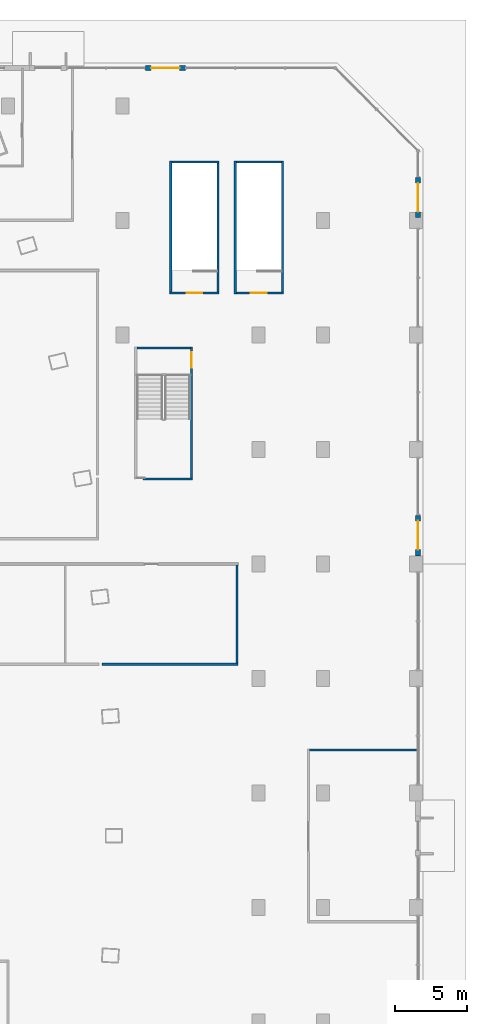
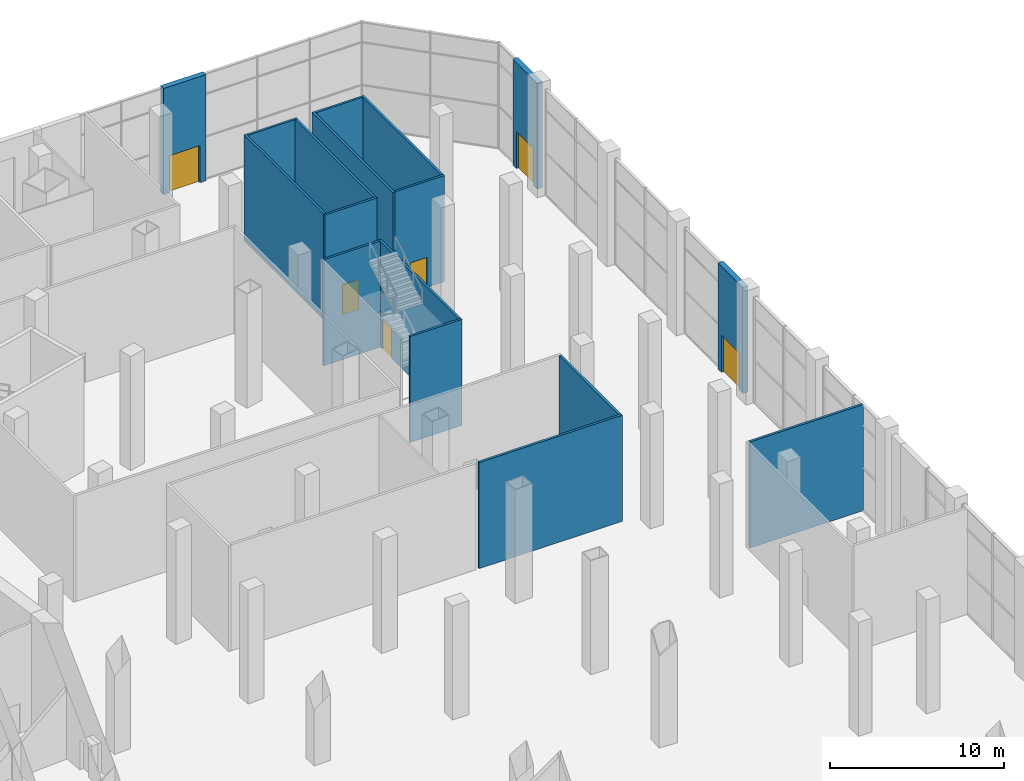
# One storey, part 20 of 33: 17 walls, 6 doors, 6 openings.
"""IFC4 building model written with IfcOpenShell, lengths in metres."""

from ifc_helpers import new_model, si_unit, direction, frame, frame_2d, origin, place, context, subcontext, project, spatial, rectangle, extrude, material, layer, layer_set, type_object, element, fill, save


model = new_model("IFC4")

# Units and contexts
model_context = context("Model", 3, precision=1e-05, world=origin(), true_north=direction((0.0, 1.0)))
body_context = subcontext(model_context, "Body", "Model", "MODEL_VIEW")
ifc_project = project(units=[si_unit("LENGTHUNIT", "METRE"), si_unit("AREAUNIT", "SQUARE_METRE"), si_unit("VOLUMEUNIT", "CUBIC_METRE"), si_unit("PLANEANGLEUNIT", "RADIAN"), si_unit("MASSUNIT", "GRAM", prefix="KILO")], contexts=[model_context])

# Site, building, storey
site_placement = place(None, origin())
site = spatial("IfcSite", under=ifc_project, at=site_placement, CompositionType="ELEMENT")
building_placement = place(site_placement, origin())
building = spatial("IfcBuilding", under=site, at=building_placement, Name="Alderwake Tower", CompositionType="ELEMENT")
storey_placement = place(building_placement, origin())
storey = spatial("IfcBuildingStorey", under=building, at=storey_placement, Name="L00", CompositionType="ELEMENT", Elevation=0.0)

# Walls
ifc_material_1 = material(Name="Gypsum board on metal studs, rated")
ifc_layer_1 = layer(ifc_material_1, 0.159912109375)
ifc_layer_set_1 = layer_set([ifc_layer_1], Name="Corridor wall 160")
wall_type_1 = type_object("IfcWallType", Name="Corridor wall 160", PredefinedType="PARTITIONING", material=ifc_layer_set_1)
wall_1_placement = place(storey_placement, frame((72.080078125, 72.9990234375, 0.0), z_axis=(0.0, 0.0, 1.0), x_axis=(-1.0, 0.0, 0.0)))
element("IfcWall", 1, at=wall_1_placement, inside=storey, type_object=wall_type_1, Name="WL/L00/W97", PredefinedType="PARTITIONING", context=body_context, shape_type="SweptSolid", body=[
    extrude(rectangle(XDim=9.512451171875, YDim=0.159912109375, at=frame_2d((4.75634765625, 0.0))), origin(), (0.0, 0.0, 1.0), 7.449951171875),
])
wall_2_placement = place(storey_placement, frame((72.0, 79.9208984375, 0.0), z_axis=(0.0, 0.0, 1.0), x_axis=(0.0, -1.0, 0.0)))
element("IfcWall", 2, at=wall_2_placement, inside=storey, type_object=wall_type_1, Name="WL/L00/W98", PredefinedType="PARTITIONING", context=body_context, shape_type="SweptSolid", body=[
    extrude(rectangle(XDim=6.841796875, YDim=0.159912109375, at=frame_2d((3.4208984375, 0.0))), origin(), (0.0, 0.0, 1.0), 7.449951171875),
])
wall_3_placement = place(storey_placement, frame((77.0810546875, 66.9990234375, 0.0), z_axis=(0.0, 0.0, 1.0), x_axis=(1.0, 0.0, 0.0)))
element("IfcWall", 3, at=wall_3_placement, inside=storey, type_object=wall_type_1, Name="WL/L00/W100", PredefinedType="PARTITIONING", context=body_context, shape_type="SweptSolid", body=[
    extrude(rectangle(XDim=7.5390625, YDim=0.159912109375, at=frame_2d((3.76953125, 0.0))), origin(), (0.0, 0.0, 1.0), 7.449951171875),
])

# Wall, opening, door
ifc_material_2 = material(Name="Precast concrete C50/60 spandrel panel", Category="concrete")
ifc_layer_2 = layer(ifc_material_2, 0.35009765625)
ifc_layer_set_2 = layer_set([ifc_layer_2], Name="External wall EW4 Precast concrete C50/60 podium")
wall_type_2 = type_object("IfcWallType", Name="External wall EW4 Precast concrete C50/60 podium", PredefinedType="SOLIDWALL", material=ifc_layer_set_2)
wall_4_placement = place(storey_placement, frame((84.64990234375, 80.550048828125, 0.0), z_axis=(0.0, 0.0, 1.0), x_axis=(0.0, 1.0, 0.0)))
wall_4 = element("IfcWall", 4, at=wall_4_placement, inside=storey, type_object=wall_type_2, Name="External wall 10", PredefinedType="SOLIDWALL", context=body_context, shape_type="SweptSolid", body=[
    extrude(rectangle(XDim=2.849853515625, YDim=0.35009765625, at=frame_2d((1.4248046875, 0.0))), origin(), (0.0, 0.0, 1.0), 7.449951171875),
])
opening_1_placement = place(wall_4_placement, frame((0.449951171875, 0.0, 0.0)))
opening_1 = element("IfcOpeningElement", 5, at=opening_1_placement, cuts=wall_4, Name="Opening D07", PredefinedType="OPENING", context=body_context, shape_type="SweptSolid", body=[
    extrude(rectangle(XDim=2.0, YDim=2.60009765625, at=frame_2d((1.0, 1.300048828125))), frame((0.0, 0.18505859375, 0.0), z_axis=(0.0, -1.0, 0.0), x_axis=(1.0, 0.0, 0.0)), (0.0, 0.0, 1.0), 0.3701171875),
])
ifc_material_3 = material(Name="Bronze tinted glass in aluminium frame", Category="aluminium")
door_type_1 = type_object("IfcDoorType", Name="Entrance door ED double 2000", OperationType="DOUBLE_DOOR_DOUBLE_SWING", PredefinedType="DOOR", material=ifc_material_3)
door_1_placement = place(opening_1_placement, origin())
door_1 = element("IfcDoor", 6, at=door_1_placement, inside=storey, type_object=door_type_1, Name="Door D07", OperationType="DOUBLE_DOOR_DOUBLE_SWING", OverallHeight=2.60009765625, OverallWidth=2.0, PredefinedType="DOOR", context=body_context, shape_type="SweptSolid", body=[
    extrude(rectangle(XDim=2.0, YDim=2.60009765625, at=frame_2d((1.0, 1.300048828125))), frame((0.0, 0.02490234375, 0.0), z_axis=(0.0, -1.0, 0.0), x_axis=(1.0, 0.0, 0.0)), (0.0, 0.0, 1.0), 0.050048828125),
])
fill(opening_1, door_1)

wall_5_placement = place(storey_placement, frame((84.64990234375, 104.199951171875, 0.0), z_axis=(0.0, 0.0, 1.0), x_axis=(0.0, 1.0, 0.0)))
wall_5 = element("IfcWall", 7, at=wall_5_placement, inside=storey, type_object=wall_type_2, Name="External wall 11", PredefinedType="SOLIDWALL", context=body_context, shape_type="SweptSolid", body=[
    extrude(rectangle(XDim=2.800048828125, YDim=0.35009765625, at=frame_2d((1.39990234375, 0.0))), origin(), (0.0, 0.0, 1.0), 7.449951171875),
])
opening_2_placement = place(wall_5_placement, frame((0.39990234375, 0.0, 0.0)))
opening_2 = element("IfcOpeningElement", 8, at=opening_2_placement, cuts=wall_5, Name="Opening D08", PredefinedType="OPENING", context=body_context, shape_type="SweptSolid", body=[
    extrude(rectangle(XDim=2.0, YDim=2.60009765625, at=frame_2d((1.0, 1.300048828125))), frame((0.0, 0.18505859375, 0.0), z_axis=(0.0, -1.0, 0.0), x_axis=(1.0, 0.0, 0.0)), (0.0, 0.0, 1.0), 0.3701171875),
])
door_2_placement = place(opening_2_placement, origin())
door_2 = element("IfcDoor", 9, at=door_2_placement, inside=storey, type_object=door_type_1, Name="Door D08", OperationType="DOUBLE_DOOR_DOUBLE_SWING", OverallHeight=2.60009765625, OverallWidth=2.0, PredefinedType="DOOR", context=body_context, shape_type="SweptSolid", body=[
    extrude(rectangle(XDim=2.0, YDim=2.60009765625, at=frame_2d((1.0, 1.300048828125))), frame((0.0, 0.02490234375, 0.0), z_axis=(0.0, -1.0, 0.0), x_axis=(1.0, 0.0, 0.0)), (0.0, 0.0, 1.0), 0.050048828125),
])
fill(opening_2, door_2)

wall_6_placement = place(storey_placement, frame((68.39990234375, 114.64990234375, 0.0), z_axis=(0.0, 0.0, 1.0), x_axis=(-1.0, 0.0, 0.0)))
wall_6 = element("IfcWall", 10, at=wall_6_placement, inside=storey, type_object=wall_type_2, Name="External wall 12", PredefinedType="SOLIDWALL", context=body_context, shape_type="SweptSolid", body=[
    extrude(rectangle(XDim=2.7998046875, YDim=0.35009765625, at=frame_2d((1.39990234375, 0.0))), origin(), (0.0, 0.0, 1.0), 7.449951171875),
])
opening_3_placement = place(wall_6_placement, frame((0.39990234375, 0.0, 0.0)))
opening_3 = element("IfcOpeningElement", 11, at=opening_3_placement, cuts=wall_6, Name="Opening D09", PredefinedType="OPENING", context=body_context, shape_type="SweptSolid", body=[
    extrude(rectangle(XDim=2.0, YDim=2.60009765625, at=frame_2d((1.0, 1.300048828125))), frame((0.0, 0.18505859375, 0.0), z_axis=(0.0, -1.0, 0.0), x_axis=(1.0, 0.0, 0.0)), (0.0, 0.0, 1.0), 0.3701171875),
])
door_3_placement = place(opening_3_placement, origin())
door_3 = element("IfcDoor", 12, at=door_3_placement, inside=storey, type_object=door_type_1, Name="Door D09", OperationType="DOUBLE_DOOR_DOUBLE_SWING", OverallHeight=2.60009765625, OverallWidth=2.0, PredefinedType="DOOR", context=body_context, shape_type="SweptSolid", body=[
    extrude(rectangle(XDim=2.0, YDim=2.60009765625, at=frame_2d((1.0, 1.300048828125))), frame((0.0, 0.02490234375, 0.0), z_axis=(0.0, -1.0, 0.0), x_axis=(1.0, 0.0, 0.0)), (0.0, 0.0, 1.0), 0.050048828125),
])
fill(opening_3, door_3)

ifc_material_4 = material(Name="Gypsum shaft wall system, rated")
ifc_layer_3 = layer(ifc_material_4, 0.14990234375)
ifc_layer_set_3 = layer_set([ifc_layer_3], Name="Riser and shaft wall 150")
wall_type_3 = type_object("IfcWallType", Name="Riser and shaft wall 150", PredefinedType="PARTITIONING", material=ifc_layer_set_3)
wall_7_placement = place(storey_placement, frame((70.7490234375, 98.925048828125, 0.0), z_axis=(0.0, 0.0, 1.0), x_axis=(-1.0, 0.0, 0.0)))
wall_7 = element("IfcWall", 13, at=wall_7_placement, inside=storey, type_object=wall_type_3, Name="WL/L00/W36", PredefinedType="PARTITIONING", context=body_context, shape_type="SweptSolid", body=[
    extrude(rectangle(XDim=3.449951171875, YDim=0.14990234375, at=frame_2d((1.72509765625, 0.0))), origin(), (0.0, 0.0, 1.0), 7.449951171875),
])
opening_4_placement = place(wall_7_placement, frame((1.174072265625, 0.0, 0.0)))
opening_4 = element("IfcOpeningElement", 14, at=opening_4_placement, cuts=wall_7, Name="Opening L00-25", PredefinedType="OPENING", context=body_context, shape_type="SweptSolid", body=[
    extrude(rectangle(XDim=1.10009765625, YDim=2.10009765625, at=frame_2d((0.550048828125, 1.050048828125))), frame((0.0, 0.0849609375, 0.0), z_axis=(0.0, -1.0, 0.0), x_axis=(1.0, 0.0, 0.0)), (0.0, 0.0, 1.0), 0.169921875),
])
ifc_material_5 = material(Name="Steel-framed fire door leaf", Category="steel")
door_type_2 = type_object("IfcDoorType", Name="Stair door 1100 fire-rated", OperationType="SINGLE_SWING_LEFT", PredefinedType="DOOR", material=ifc_material_5)
door_4_placement = place(opening_4_placement, origin())
door_4 = element("IfcDoor", 15, at=door_4_placement, inside=storey, type_object=door_type_2, Name="DR/L00/25", OperationType="SINGLE_SWING_LEFT", OverallHeight=2.10009765625, OverallWidth=1.10009765625, PredefinedType="DOOR", context=body_context, shape_type="SweptSolid", body=[
    extrude(rectangle(XDim=1.10009765625, YDim=2.10009765625, at=frame_2d((0.550048828125, 1.050048828125))), frame((0.0, 0.02490234375, 0.0), z_axis=(0.0, -1.0, 0.0), x_axis=(1.0, 0.0, 0.0)), (0.0, 0.0, 1.0), 0.050048828125),
])
fill(opening_4, door_4)

# Walls
wall_8_placement = place(storey_placement, frame((67.3740234375, 108.14990234375, 0.0), z_axis=(0.0, 0.0, 1.0), x_axis=(0.0, -1.0, 0.0)))
element("IfcWall", 16, at=wall_8_placement, inside=storey, type_object=wall_type_3, Name="WL/L00/W37", PredefinedType="PARTITIONING", context=body_context, shape_type="SweptSolid", body=[
    extrude(rectangle(XDim=9.14990234375, YDim=0.14990234375, at=frame_2d((4.574951171875, 0.0))), origin(), (0.0, 0.0, 1.0), 7.449951171875),
])
wall_9_placement = place(storey_placement, frame((70.7490234375, 108.074951171875, 0.0), z_axis=(0.0, 0.0, 1.0), x_axis=(-1.0, 0.0, 0.0)))
element("IfcWall", 17, at=wall_9_placement, inside=storey, type_object=wall_type_3, Name="WL/L00/W45", PredefinedType="PARTITIONING", context=body_context, shape_type="SweptSolid", body=[
    extrude(rectangle(XDim=3.300048828125, YDim=0.14990234375, at=frame_2d((1.64990234375, 0.0))), origin(), (0.0, 0.0, 1.0), 7.449951171875),
])
wall_10_placement = place(storey_placement, frame((70.674072265625, 108.0, 0.0), z_axis=(0.0, 0.0, 1.0), x_axis=(0.0, -1.0, 0.0)))
element("IfcWall", 18, at=wall_10_placement, inside=storey, type_object=wall_type_3, Name="WL/L00/W46", PredefinedType="PARTITIONING", context=body_context, shape_type="SweptSolid", body=[
    extrude(rectangle(XDim=9.0, YDim=0.14990234375, at=frame_2d((4.5, 0.0))), origin(), (0.0, 0.0, 1.0), 7.449951171875),
])
wall_11_placement = place(storey_placement, frame((71.8740234375, 98.85009765625, 0.0), z_axis=(0.0, 0.0, 1.0), x_axis=(0.0, 1.0, 0.0)))
element("IfcWall", 19, at=wall_11_placement, inside=storey, type_object=wall_type_3, Name="WL/L00/W47", PredefinedType="PARTITIONING", context=body_context, shape_type="SweptSolid", body=[
    extrude(rectangle(XDim=9.2998046875, YDim=0.14990234375, at=frame_2d((4.64990234375, 0.0))), origin(), (0.0, 0.0, 1.0), 7.449951171875),
])

# Wall, opening, door
wall_12_placement = place(storey_placement, frame((75.2490234375, 98.925048828125, 0.0), z_axis=(0.0, 0.0, 1.0), x_axis=(-1.0, 0.0, 0.0)))
wall_12 = element("IfcWall", 20, at=wall_12_placement, inside=storey, type_object=wall_type_3, Name="WL/L00/W48", PredefinedType="PARTITIONING", context=body_context, shape_type="SweptSolid", body=[
    extrude(rectangle(XDim=3.300048828125, YDim=0.14990234375, at=frame_2d((1.64990234375, 0.0))), origin(), (0.0, 0.0, 1.0), 7.449951171875),
])
opening_5_placement = place(wall_12_placement, frame((1.174072265625, 0.0, 0.0)))
opening_5 = element("IfcOpeningElement", 21, at=opening_5_placement, cuts=wall_12, Name="Opening L00-26", PredefinedType="OPENING", context=body_context, shape_type="SweptSolid", body=[
    extrude(rectangle(XDim=1.10009765625, YDim=2.10009765625, at=frame_2d((0.550048828125, 1.050048828125))), frame((0.0, 0.0849609375, 0.0), z_axis=(0.0, -1.0, 0.0), x_axis=(1.0, 0.0, 0.0)), (0.0, 0.0, 1.0), 0.169921875),
])
door_5_placement = place(opening_5_placement, origin())
door_5 = element("IfcDoor", 22, at=door_5_placement, inside=storey, type_object=door_type_2, Name="DR/L00/26", OperationType="SINGLE_SWING_LEFT", OverallHeight=2.10009765625, OverallWidth=1.10009765625, PredefinedType="DOOR", context=body_context, shape_type="SweptSolid", body=[
    extrude(rectangle(XDim=1.10009765625, YDim=2.10009765625, at=frame_2d((0.550048828125, 1.050048828125))), frame((0.0, 0.02490234375, 0.0), z_axis=(0.0, -1.0, 0.0), x_axis=(1.0, 0.0, 0.0)), (0.0, 0.0, 1.0), 0.050048828125),
])
fill(opening_5, door_5)

# Walls
wall_13_placement = place(storey_placement, frame((75.174072265625, 99.0, 0.0), z_axis=(0.0, 0.0, 1.0), x_axis=(0.0, 1.0, 0.0)))
element("IfcWall", 23, at=wall_13_placement, inside=storey, type_object=wall_type_3, Name="WL/L00/W49", PredefinedType="PARTITIONING", context=body_context, shape_type="SweptSolid", body=[
    extrude(rectangle(XDim=9.14990234375, YDim=0.14990234375, at=frame_2d((4.574951171875, 0.0))), origin(), (0.0, 0.0, 1.0), 7.449951171875),
])
wall_14_placement = place(storey_placement, frame((75.09912109375, 108.074951171875, 0.0), z_axis=(0.0, 0.0, 1.0), x_axis=(-1.0, 0.0, 0.0)))
element("IfcWall", 24, at=wall_14_placement, inside=storey, type_object=wall_type_3, Name="WL/L00/W50", PredefinedType="PARTITIONING", context=body_context, shape_type="SweptSolid", body=[
    extrude(rectangle(XDim=3.150146484375, YDim=0.14990234375, at=frame_2d((1.5751953125, 0.0))), origin(), (0.0, 0.0, 1.0), 7.449951171875),
])
ifc_material_6 = material(Name="Concrete C40/50", Category="concrete")
ifc_layer_4 = layer(ifc_material_6, 0.14990234375)
ifc_layer_set_4 = layer_set([ifc_layer_4], Name="Stair shaft wall 150 C40/50")
wall_type_4 = type_object("IfcWallType", Name="Stair shaft wall 150 C40/50", PredefinedType="SHEAR", material=ifc_layer_set_4)
wall_15_placement = place(storey_placement, frame((65.447998046875, 85.926025390625, 0.0), z_axis=(0.0, 0.0, 1.0), x_axis=(1.0, 0.0, 0.0)))
element("IfcWall", 25, at=wall_15_placement, inside=storey, type_object=wall_type_4, Name="WL/L00/W32", PredefinedType="SHEAR", context=body_context, shape_type="SweptSolid", body=[
    extrude(rectangle(XDim=3.452880859375, YDim=0.14990234375, at=frame_2d((1.7265625, 0.0))), origin(), (0.0, 0.0, 1.0), 7.449951171875),
])

# Wall, opening, door
wall_16_placement = place(storey_placement, frame((68.825927734375, 95.15087890625, 0.0), z_axis=(0.0, 0.0, 1.0), x_axis=(0.0, -1.0, 0.0)))
wall_16 = element("IfcWall", 26, at=wall_16_placement, inside=storey, type_object=wall_type_4, Name="WL/L00/W41", PredefinedType="SHEAR", context=body_context, shape_type="SweptSolid", body=[
    extrude(rectangle(XDim=9.14990234375, YDim=0.14990234375, at=frame_2d((4.574951171875, 0.0))), origin(), (0.0, 0.0, 1.0), 7.449951171875),
])
opening_6_placement = place(wall_16_placement, frame((0.35107421875, 0.0, 0.0)))
opening_6 = element("IfcOpeningElement", 27, at=opening_6_placement, cuts=wall_16, Name="Opening L00-29", PredefinedType="OPENING", context=body_context, shape_type="SweptSolid", body=[
    extrude(rectangle(XDim=1.10009765625, YDim=2.10009765625, at=frame_2d((0.550048828125, 1.050048828125))), frame((0.0, 0.0849609375, 0.0), z_axis=(0.0, -1.0, 0.0), x_axis=(1.0, 0.0, 0.0)), (0.0, 0.0, 1.0), 0.169921875),
])
door_6_placement = place(opening_6_placement, origin())
door_6 = element("IfcDoor", 28, at=door_6_placement, inside=storey, type_object=door_type_2, Name="DR/L00/29", OperationType="SINGLE_SWING_LEFT", OverallHeight=2.10009765625, OverallWidth=1.10009765625, PredefinedType="DOOR", context=body_context, shape_type="SweptSolid", body=[
    extrude(rectangle(XDim=1.10009765625, YDim=2.10009765625, at=frame_2d((0.550048828125, 1.050048828125))), frame((0.0, 0.02490234375, 0.0), z_axis=(0.0, -1.0, 0.0), x_axis=(1.0, 0.0, 0.0)), (0.0, 0.0, 1.0), 0.050048828125),
])
fill(opening_6, door_6)

# Wall
wall_17_placement = place(storey_placement, frame((68.7509765625, 95.075927734375, 0.0), z_axis=(0.0, 0.0, 1.0), x_axis=(-1.0, 0.0, 0.0)))
element("IfcWall", 29, at=wall_17_placement, inside=storey, type_object=wall_type_4, Name="WL/L00/W42", PredefinedType="SHEAR", context=body_context, shape_type="SweptSolid", body=[
    extrude(rectangle(XDim=3.75, YDim=0.14990234375, at=frame_2d((1.875, 0.0))), origin(), (0.0, 0.0, 1.0), 7.449951171875),
])

save(model, "model.ifc")
